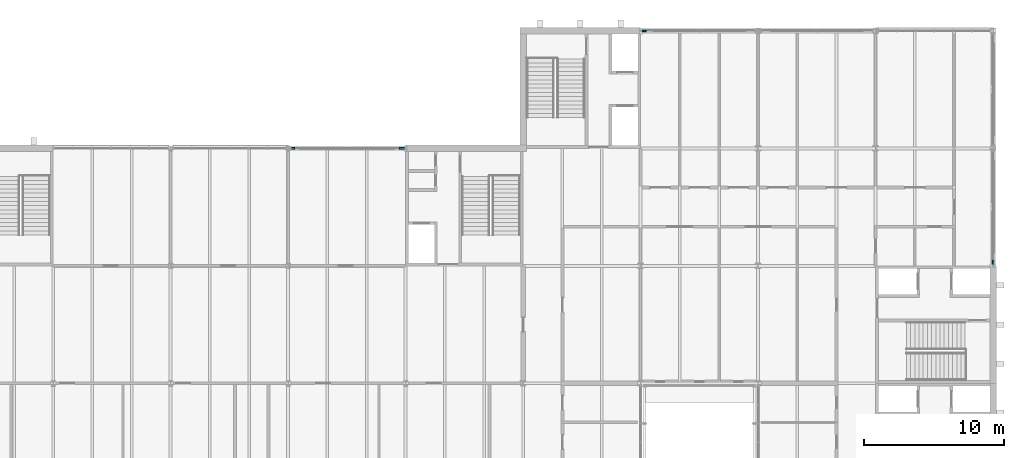
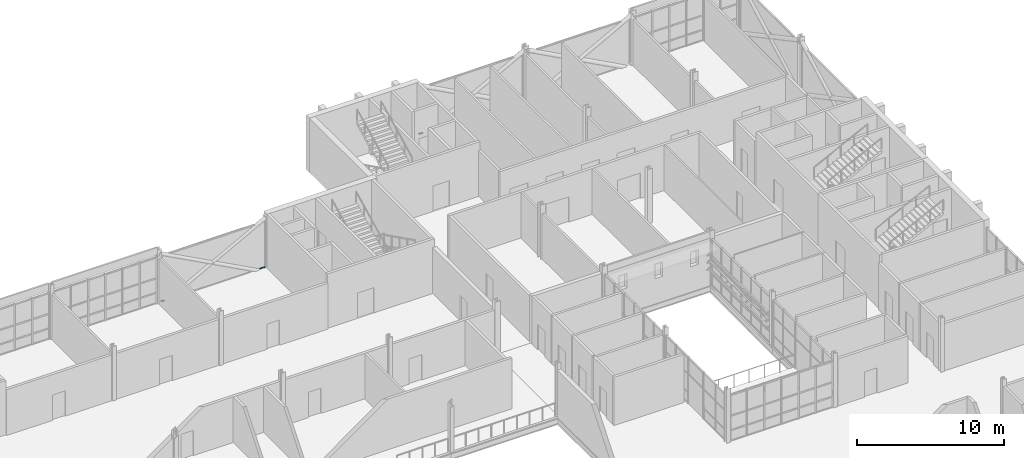
# One storey, part 65 of 129: 4 members, 3 elements without a shape of their own.
"""IFC4 building model written with IfcOpenShell, lengths in metres."""

from ifc_helpers import new_model, si_unit, direction, frame, origin, origin_2d, place, context, subcontext, project, spatial, rectangle, extrude, material, layer, layer_set, material_profile, profile_set, type_object, element, aggregate, save


model = new_model("IFC4")

# Units and contexts
model_context = context("Model", 3, precision=1e-05, world=origin(), true_north=direction((0.0, 1.0)))
body_context = subcontext(model_context, "Body", "Model", "MODEL_VIEW")
ifc_project = project(units=[si_unit("LENGTHUNIT", "METRE"), si_unit("AREAUNIT", "SQUARE_METRE"), si_unit("VOLUMEUNIT", "CUBIC_METRE"), si_unit("PLANEANGLEUNIT", "RADIAN"), si_unit("MASSUNIT", "GRAM", prefix="KILO")], contexts=[model_context])

# Site, building, storey
site_placement = place(None, origin())
site = spatial("IfcSite", under=ifc_project, at=site_placement, CompositionType="ELEMENT")
building_placement = place(site_placement, origin())
building = spatial("IfcBuilding", under=site, at=building_placement, Name="Ardhachandra Cancer Care Centre", CompositionType="ELEMENT")
storey_placement = place(building_placement, frame((0.0, 0.0, 4.5)))
storey = spatial("IfcBuildingStorey", under=building, at=storey_placement, Name="L01", CompositionType="ELEMENT", Elevation=4.5)

# Curtain wall, member
ifc_material_1 = material(Name="Aluminium extrusion", Category="aluminium")
ifc_layer = layer(ifc_material_1, 0.14990234375)
ifc_layer_set = layer_set([ifc_layer], Name="Aluminium extrusion")
curtain_wall_type = type_object("IfcCurtainWallType", Name="Curtain wall run", PredefinedType="NOTDEFINED", material=ifc_layer_set)
curtain_wall_1_placement = place(storey_placement, origin())
curtain_wall_1 = element("IfcCurtainWall", 1, at=curtain_wall_1_placement, inside=storey, type_object=curtain_wall_type, Name="Curtain wall L01 e/0145200_0088200", PredefinedType="NOTDEFINED")
ifc_material_2 = material(Name="Aluminium extrusion", Category="aluminium")
ifc_material_profile = material_profile(ifc_material_2, rectangle(XDim=0.1201171875, YDim=0.06005859375, at=origin_2d()), Name="Curtain wall transom 60 x 120")
ifc_profile_set = profile_set([ifc_material_profile], Name="Aluminium extrusion")
member_type = type_object("IfcMemberType", Name="Curtain wall transom 60 x 120", PredefinedType="USERDEFINED", material=ifc_profile_set)
member_1_placement = place(storey_placement, frame((145.199951171875, 88.260009765625, 0.030029296875), z_axis=(0.0, 1.0, 0.0), x_axis=(-1.0, 0.0, 0.0)))
member_1 = element("IfcMember", 2, at=member_1_placement, type_object=member_type, Name="CW transom 1.1", ObjectType="TRANSOM", PredefinedType="USERDEFINED", context=body_context, shape_type="SweptSolid", body=[
    extrude(rectangle(XDim=0.1201171875, YDim=0.06005859375, at=origin_2d()), origin(), (0.0, 0.0, 1.0), 0.340576171875),
])
aggregate(curtain_wall_1, [member_1])

# Curtain wall, members
curtain_wall_2_placement = place(storey_placement, origin())
curtain_wall_2 = element("IfcCurtainWall", 3, at=curtain_wall_2_placement, inside=storey, type_object=curtain_wall_type, Name="Curtain wall L01 n/0094800_0096600", PredefinedType="NOTDEFINED")
member_2_placement = place(storey_placement, frame((95.010009765625, 96.60009765625, 0.030029296875), z_axis=(1.0, 0.0, 0.0), x_axis=(0.0, 1.0, 0.0)))
member_2 = element("IfcMember", 4, at=member_2_placement, type_object=member_type, Name="CW transom 1.1", ObjectType="TRANSOM", PredefinedType="USERDEFINED", context=body_context, shape_type="SweptSolid", body=[
    extrude(rectangle(XDim=0.1201171875, YDim=0.06005859375, at=origin_2d()), origin(), (0.0, 0.0, 1.0), 0.244384765625),
])
member_3_placement = place(storey_placement, frame((102.74462890625, 96.60009765625, 0.030029296875), z_axis=(1.0, 0.0, 0.0), x_axis=(0.0, 1.0, 0.0)))
member_3 = element("IfcMember", 5, at=member_3_placement, type_object=member_type, Name="CW transom 1.1", ObjectType="TRANSOM", PredefinedType="USERDEFINED", context=body_context, shape_type="SweptSolid", body=[
    extrude(rectangle(XDim=0.1201171875, YDim=0.06005859375, at=origin_2d()), origin(), (0.0, 0.0, 1.0), 0.395263671875),
])
aggregate(curtain_wall_2, [member_2, member_3])

# Curtain wall, member
curtain_wall_3_placement = place(storey_placement, origin())
curtain_wall_3 = element("IfcCurtainWall", 6, at=curtain_wall_3_placement, inside=storey, type_object=curtain_wall_type, Name="Curtain wall L01 n/0120000_0105000", PredefinedType="NOTDEFINED")
member_4_placement = place(storey_placement, frame((120.06005859375, 105.0, 0.030029296875), z_axis=(1.0, 0.0, 0.0), x_axis=(0.0, 1.0, 0.0)))
member_4 = element("IfcMember", 7, at=member_4_placement, type_object=member_type, Name="CW transom 1.1", ObjectType="TRANSOM", PredefinedType="USERDEFINED", context=body_context, shape_type="SweptSolid", body=[
    extrude(rectangle(XDim=0.1201171875, YDim=0.06005859375, at=origin_2d()), origin(), (0.0, 0.0, 1.0), 0.340576171875),
])
aggregate(curtain_wall_3, [member_4])

save(model, "model.ifc")
